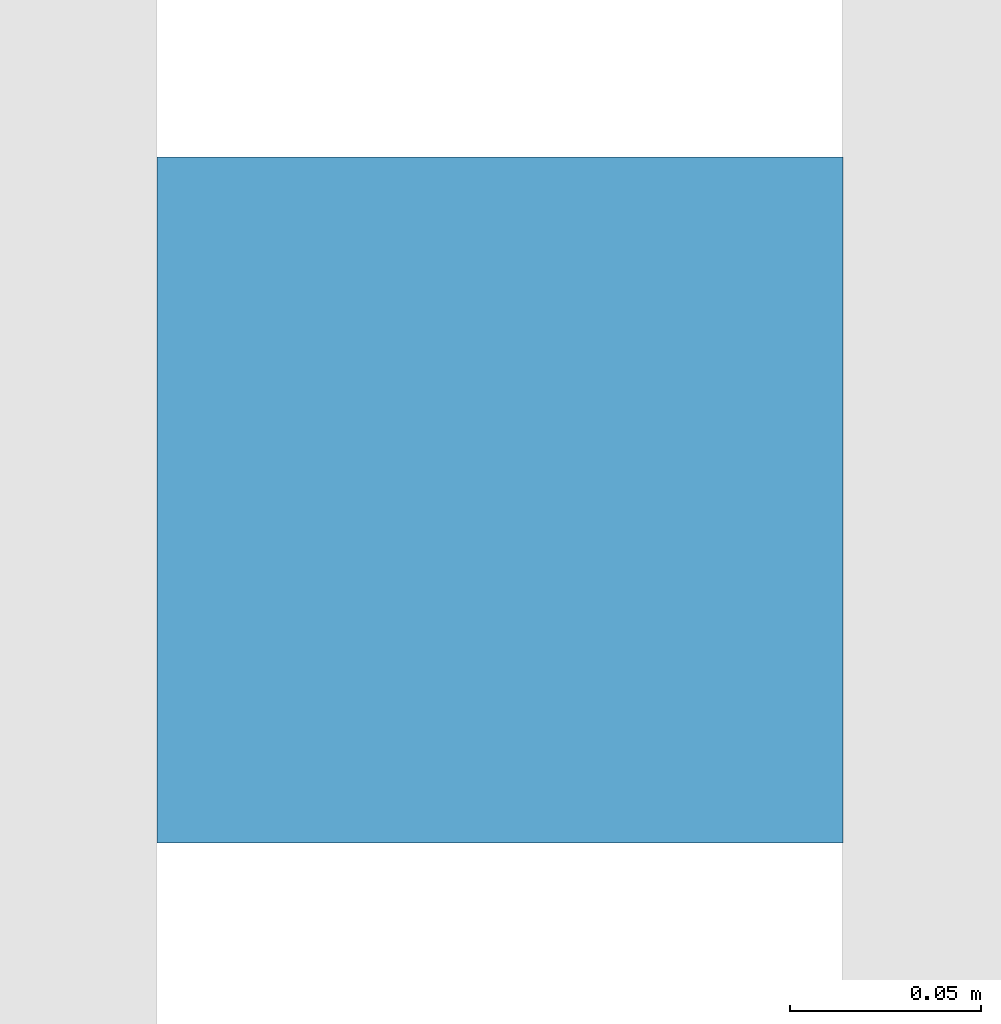
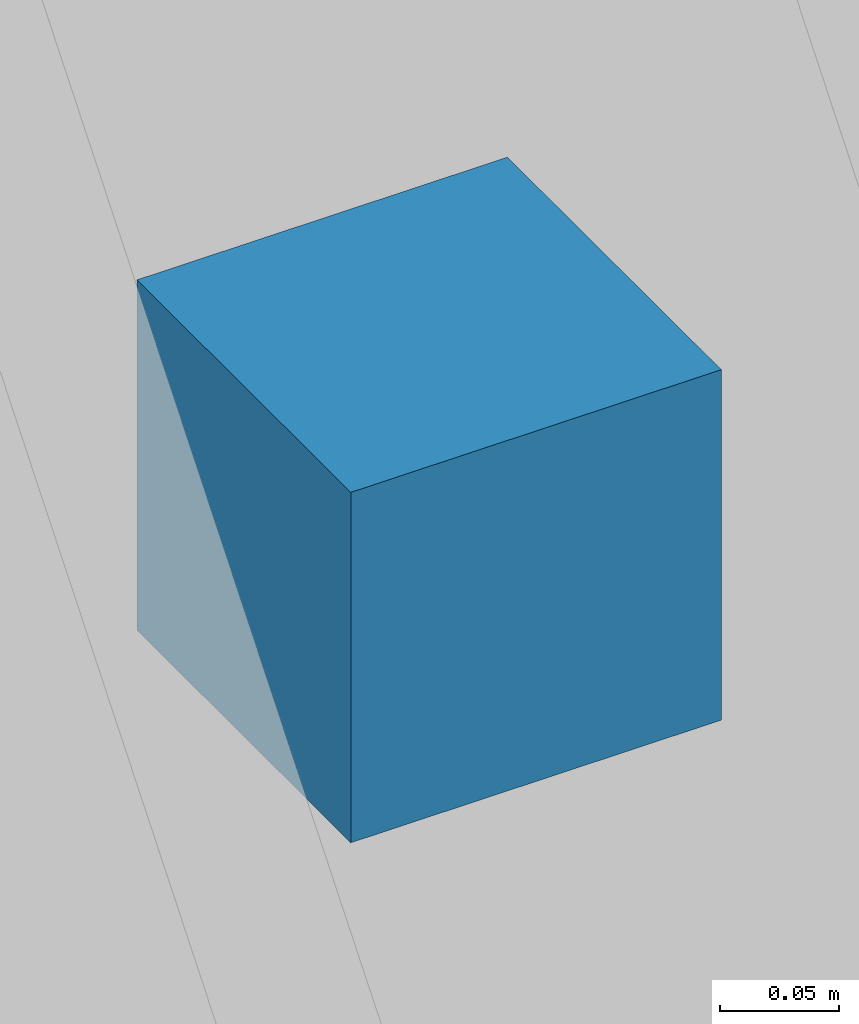
# One storey, part 38 of 41: 1 discrete accessory.
"""IFC4 building model written with IfcOpenShell, lengths in metres."""

import ifcopenshell
import ifcopenshell.guid

model = None  # the IFC model being written
_history = None  # IfcOwnerHistory: only IFC2X3 demands one
_inside = {}  # id of a spatial element -> (the spatial element, [elements in it])
_under = {}  # id of a project, library or spatial element -> (it, [spatial elements below it])
_declared = {}  # id of a project -> (the project, [libraries it declares])
_typed = {}  # id of a type object -> (the type object, [elements of that type])
_made_of = {}  # id of a material, layer set ... -> (it, [elements and type objects made of it])


def new_model(schema):
    """Start an empty IFC model of exactly this schema.

    Asked for "IFC4X3", IfcOpenShell would pick the latest addendum, in which some entities
    have other attributes; the version numbers below select the first issue.
    IFC2X3 requires an IfcOwnerHistory on every rooted entity: one is made here for all.
    """
    global model, _history
    if schema == "IFC4X3":
        model = ifcopenshell.file(schema_version=(4, 3, 0, 0))
    else:
        model = ifcopenshell.file(schema=schema)
    _inside.clear()
    _under.clear()
    _declared.clear()
    _typed.clear()
    _made_of.clear()
    _history = None
    if model.schema == "IFC2X3":
        org = make("IfcOrganization", Name="unknown")
        user = make(
            "IfcPersonAndOrganization",
            ThePerson=make("IfcPerson", FamilyName="unknown"),
            TheOrganization=org,
        )
        app = make(
            "IfcApplication",
            ApplicationDeveloper=org,
            Version="unknown",
            ApplicationFullName="unknown",
            ApplicationIdentifier="unknown",
        )
        _history = make(
            "IfcOwnerHistory",
            OwningUser=user,
            OwningApplication=app,
            ChangeAction="ADDED",
            CreationDate=0,
        )
    return model


def make(cls, **values):
    """One entity of the class cls with the attributes given. An attribute that is None is left unset."""
    return model.create_entity(
        cls, **{name: value for name, value in values.items() if value is not None}
    )


def rooted(cls, **values):
    """An entity with a GlobalId (a new one), such as an element, a storey or a relation."""
    return make(cls, GlobalId=ifcopenshell.guid.new(), OwnerHistory=_history, **values)


def si_unit(unit_type, name, prefix=None):
    """IfcSIUnit, for example si_unit("LENGTHUNIT", "METRE", prefix="MILLI")."""
    return make("IfcSIUnit", UnitType=unit_type, Prefix=prefix, Name=name)


def assignment(units):
    """IfcUnitAssignment: the units of a project."""
    return None if units is None else make("IfcUnitAssignment", Units=units)


def point(xyz):
    """IfcCartesianPoint."""
    return None if xyz is None else make("IfcCartesianPoint", Coordinates=xyz)


def direction(xyz):
    """IfcDirection."""
    return None if xyz is None else make("IfcDirection", DirectionRatios=xyz)


def frame(location, z_axis=None, x_axis=None):
    """IfcAxis2Placement3D, a coordinate frame: its origin and axes. An axis left out is left unset."""
    return make(
        "IfcAxis2Placement3D",
        Location=point(location),
        Axis=direction(z_axis),
        RefDirection=direction(x_axis),
    )


def frame_2d(location, x_axis=None):
    """IfcAxis2Placement2D, a coordinate frame in the plane: its origin and x axis."""
    return make(
        "IfcAxis2Placement2D", Location=point(location), RefDirection=direction(x_axis)
    )


def origin():
    """The frame at (0, 0, 0) with its axes left unset."""
    return frame((0.0, 0.0, 0.0))


def origin_2d():
    """The frame at (0, 0) in the plane with its x axis left unset."""
    return frame_2d((0.0, 0.0))


def place(relative_to, where):
    """IfcLocalPlacement: puts the frame where relative to a parent placement (None: the world)."""
    return make(
        "IfcLocalPlacement", PlacementRelTo=relative_to, RelativePlacement=where
    )


def context(
    kind, dimensions, precision=None, world=None, true_north=None, identifier=None
):
    """IfcGeometricRepresentationContext, for example the 3D "Model" context."""
    return make(
        "IfcGeometricRepresentationContext",
        ContextIdentifier=identifier,
        ContextType=kind,
        CoordinateSpaceDimension=dimensions,
        Precision=precision,
        WorldCoordinateSystem=world,
        TrueNorth=true_north,
    )


def subcontext(parent, identifier, kind, view, scale=None):
    """IfcGeometricRepresentationSubContext, for example "Body" below "Model"."""
    return make(
        "IfcGeometricRepresentationSubContext",
        ContextIdentifier=identifier,
        ContextType=kind,
        ParentContext=parent,
        TargetScale=scale,
        TargetView=view,
    )


def project(units=None, contexts=None):
    """IfcProject with its units and contexts."""
    return rooted(
        "IfcProject",
        Name="project",
        RepresentationContexts=contexts,
        UnitsInContext=assignment(units),
    )


def spatial(cls, under=None, at=None, **own):
    """A site, building, storey or space (cls), placed at a placement, below another one or the project."""
    s = rooted(cls, ObjectPlacement=at, **own)
    if under is not None:
        _under.setdefault(under.id(), (under, []))[1].append(s)
    return s


def profile(cls, at=None, kind="AREA", **sizes):
    """A parametric profile (cls). Its sizes go by their IFC names, for example OverallWidth=200.0."""
    return make(cls, ProfileType=kind, Position=at, **sizes)


def rectangle(**sizes):
    """IfcRectangleProfileDef."""
    return profile("IfcRectangleProfileDef", **sizes)


def extrude(swept, where, along, depth):
    """IfcExtrudedAreaSolid: the profile swept, set in the frame where, extruded along a direction by depth."""
    return make(
        "IfcExtrudedAreaSolid",
        SweptArea=swept,
        Position=where,
        ExtrudedDirection=direction(along),
        Depth=depth,
    )


def shape(context_of_items, identifier, shape_type, items):
    """IfcShapeRepresentation: the items that make up one representation, for example the "Body"."""
    return make(
        "IfcShapeRepresentation",
        ContextOfItems=context_of_items,
        RepresentationIdentifier=identifier,
        RepresentationType=shape_type,
        Items=items,
    )


def material(Name=None, Category=None):
    """IfcMaterial."""
    return make("IfcMaterial", Name=Name, Category=Category)


def made_of(thing, what):
    """Note that an element or type object is made of a material, layer set ...; save() writes the relation."""
    if what is not None:
        _made_of.setdefault(what.id(), (what, []))[1].append(thing)
    return thing


def type_object(cls, material=None, **own):
    """A type object (cls), such as IfcWallType, which elements share."""
    return made_of(rooted(cls, **own), material)


def element(
    cls,
    number,
    at=None,
    inside=None,
    cuts=None,
    type_object=None,
    material=None,
    context=None,
    identifier="Body",
    shape_type=None,
    held_by="IfcProductDefinitionShape",
    body=None,
    shapes=None,
    **own,
):
    """One element of the class cls, such as IfcWall. Its Tag is "e" and its number.

    at: its placement. inside: the storey or other place that contains it. cuts: it is an
    opening in that element (IfcRelVoidsElement). A single representation is given by context,
    identifier, shape_type and body (its items); several are given by shapes. held_by: the class
    of the entity that holds the representations. save() writes the other relations.
    """
    e = rooted(cls, Tag="e%d" % number, ObjectPlacement=at, **own)
    if body is not None:
        shapes = [shape(context, identifier, shape_type, body)]
    if shapes is not None:
        e.Representation = make(held_by, Representations=shapes)
    if inside is not None:
        _inside.setdefault(inside.id(), (inside, []))[1].append(e)
    if cuts is not None:
        rooted(
            "IfcRelVoidsElement", RelatingBuildingElement=cuts, RelatedOpeningElement=e
        )
    if type_object is not None:
        _typed.setdefault(type_object.id(), (type_object, []))[1].append(e)
    return made_of(e, material)


def aggregate(whole, parts):
    """IfcRelAggregates: a whole, such as a stair, and the parts it consists of."""
    return rooted("IfcRelAggregates", RelatingObject=whole, RelatedObjects=parts)


def save(model, path):
    """Write the relations noted so far, then the file.

    IfcRelAggregates (storeys below a building ...), IfcRelContainedInSpatialStructure (elements
    in a storey), IfcRelDefinesByType, IfcRelAssociatesMaterial and IfcRelDeclares: one each for
    every whole, place, type object, material and project.
    """
    for whole, parts in _under.values():
        aggregate(whole, parts)
    for where, things in _inside.values():
        rooted(
            "IfcRelContainedInSpatialStructure",
            RelatedElements=things,
            RelatingStructure=where,
        )
    for kind, things in _typed.values():
        rooted("IfcRelDefinesByType", RelatedObjects=things, RelatingType=kind)
    for what, things in _made_of.values():
        rooted("IfcRelAssociatesMaterial", RelatedObjects=things, RelatingMaterial=what)
    for by, libraries in _declared.values():
        rooted("IfcRelDeclares", RelatingContext=by, RelatedDefinitions=libraries)
    model.write(path)


model = new_model("IFC4")

# Units and contexts
model_context = context("Model", 3, precision=1e-05, world=origin(), true_north=direction((0.0, 1.0)))
body_context = subcontext(model_context, "Body", "Model", "MODEL_VIEW")
ifc_project = project(units=[si_unit("LENGTHUNIT", "METRE"), si_unit("AREAUNIT", "SQUARE_METRE"), si_unit("VOLUMEUNIT", "CUBIC_METRE"), si_unit("PLANEANGLEUNIT", "RADIAN"), si_unit("MASSUNIT", "GRAM", prefix="KILO")], contexts=[model_context])

# Site, building, storey
site_placement = place(None, origin())
site = spatial("IfcSite", under=ifc_project, at=site_placement, CompositionType="ELEMENT")
building_placement = place(site_placement, origin())
building = spatial("IfcBuilding", under=site, at=building_placement, Name="Solanera Park Tramway Depot", CompositionType="ELEMENT")
storey_placement = place(building_placement, frame((0.0, 0.0, 13.199951171875)))
storey = spatial("IfcBuildingStorey", under=building, at=storey_placement, Name="L03", CompositionType="ELEMENT", Elevation=13.199951171875)

# Discrete accessory
ifc_material = material(Name="Steel AS/NZS 3679.1 Grade 350", Category="steel")
discrete_accessory_type = type_object("IfcDiscreteAccessoryType", Name="Facade Sunshade Fixing Bracket 180x180", PredefinedType="BRACKET", material=ifc_material)
discrete_accessory_placement = place(storey_placement, frame((187.4150390625, 13.75, 1.56494140625), z_axis=(0.0, 0.0, 1.0), x_axis=(0.0, 1.0, 0.0)))
element("IfcDiscreteAccessory", 1, at=discrete_accessory_placement, inside=storey, type_object=discrete_accessory_type, Name="Jalousie Bracket #034", PredefinedType="BRACKET", context=body_context, shape_type="SweptSolid", body=[
    extrude(rectangle(XDim=0.179931640625, YDim=0.179931640625, at=origin_2d()), origin(), (0.0, 0.0, 1.0), 0.179931640625),
])

save(model, "model.ifc")
